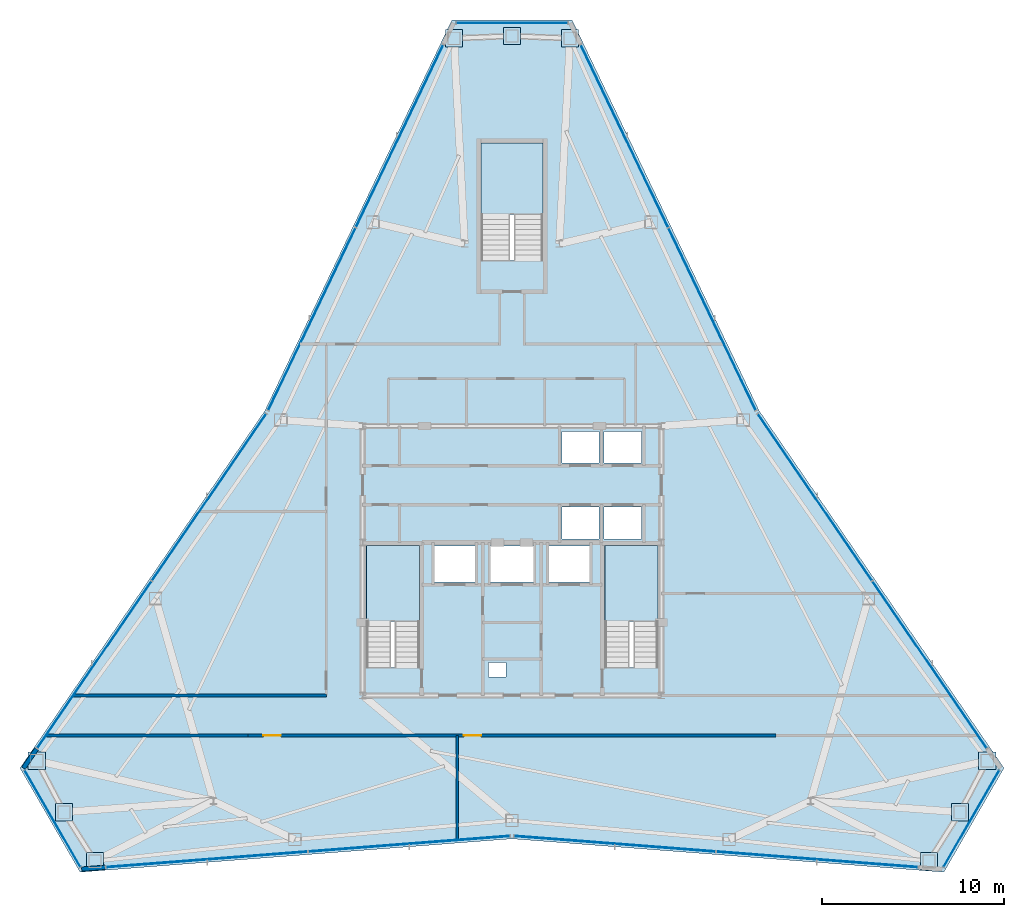
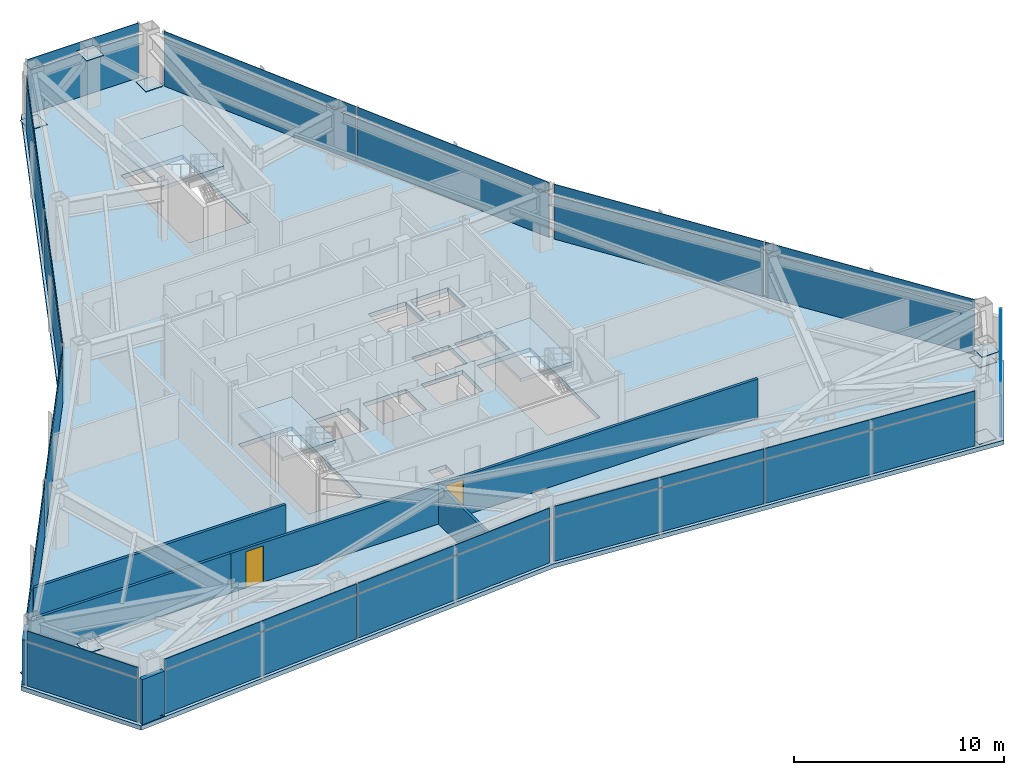
# One storey, part 8 of 12: 39 plates, 6 walls, 4 slabs, 2 doors, 2 openings, 12 elements without a shape of their own.
"""IFC4 building model written with IfcOpenShell, lengths in metres."""

from ifc_helpers import new_model, si_unit, direction, frame, frame_2d, origin, origin_2d, place, context, subcontext, project, spatial, polyline, rectangle, outline, extrude, source, transform, mapped, material, layer, layer_set, type_object, type_shapes, element, fill, aggregate, save


model = new_model("IFC4")

# Units and contexts
model_context = context("Model", 3, precision=1e-05, world=origin(), true_north=direction((0.0, 1.0)))
body_context = subcontext(model_context, "Body", "Model", "MODEL_VIEW")
ifc_project = project(units=[si_unit("LENGTHUNIT", "METRE"), si_unit("AREAUNIT", "SQUARE_METRE"), si_unit("VOLUMEUNIT", "CUBIC_METRE"), si_unit("PLANEANGLEUNIT", "RADIAN"), si_unit("MASSUNIT", "GRAM", prefix="KILO")], contexts=[model_context])

# Site, building, storey
site_placement = place(None, origin())
site = spatial("IfcSite", under=ifc_project, at=site_placement, CompositionType="ELEMENT")
building_placement = place(site_placement, origin())
building = spatial("IfcBuilding", under=site, at=building_placement, Name="Varakhsha Concourse Tower", CompositionType="ELEMENT")
storey_placement = place(building_placement, frame((0.0, 0.0, 218.89990234375)))
storey = spatial("IfcBuildingStorey", under=building, at=storey_placement, Name="L62", CompositionType="ELEMENT", Elevation=218.89990234375)

# Slab
ifc_material_1 = material(Name="Concrete fc 45 MPa", Category="concrete")
ifc_layer_1 = layer(ifc_material_1, 0.25, Name="SL-FLR-250")
ifc_layer_set_1 = layer_set([ifc_layer_1], Name="Concrete fc 45 MPa")
slab_type_1 = type_object("IfcSlabType", Name="SL-FLR-250", PredefinedType="FLOOR", material=ifc_layer_set_1)
slab_1_placement = place(storey_placement, frame((0.0, 0.0, -0.25)))
element("IfcSlab", 1, at=slab_1_placement, inside=storey, type_object=slab_type_1, Name="L62 Composite Structural Slab", PredefinedType="FLOOR", context=body_context, shape_type="SweptSolid", body=[
    extrude(outline(polyline([(43.300048828125, 53.49755859375), (36.699951171875, 53.49755859375), (26.4248046875, 32.03759765625), (12.9775390625, 12.4091796875), (16.277587890625, 6.693359375), (40.0, 8.5244140625), (63.722412109375, 6.693359375), (67.0224609375, 12.4091796875), (53.5751953125, 32.03759765625), (43.300048828125, 53.49755859375)]), holes=[polyline([(34.919921875, 17.93994140625), (34.919921875, 24.6298828125), (32.0, 24.6298828125), (32.0, 17.93994140625), (34.919921875, 17.93994140625)]), polyline([(48.02001953125, 17.93994140625), (48.02001953125, 24.6298828125), (45.10009765625, 24.6298828125), (45.10009765625, 17.93994140625), (48.02001953125, 17.93994140625)]), polyline([(41.699951171875, 40.300048828125), (41.699951171875, 46.75), (38.300048828125, 46.75), (38.300048828125, 40.300048828125), (41.699951171875, 40.300048828125)]), polyline([(42.739990234375, 29.159912109375), (44.780029296875, 29.159912109375), (44.780029296875, 30.89990234375), (42.739990234375, 30.89990234375), (42.739990234375, 29.159912109375)]), polyline([(45.06005859375, 29.159912109375), (47.10009765625, 29.159912109375), (47.10009765625, 30.89990234375), (45.06005859375, 30.89990234375), (45.06005859375, 29.159912109375)]), polyline([(42.739990234375, 25.0), (44.780029296875, 25.0), (44.780029296875, 26.739990234375), (42.739990234375, 26.739990234375), (42.739990234375, 25.0)]), polyline([(45.06005859375, 25.0), (47.10009765625, 25.0), (47.10009765625, 26.739990234375), (45.06005859375, 26.739990234375), (45.06005859375, 25.0)]), polyline([(35.7099609375, 22.639892578125), (37.989990234375, 22.639892578125), (37.989990234375, 24.60009765625), (35.7099609375, 24.60009765625), (35.7099609375, 22.639892578125)]), polyline([(42.010009765625, 22.639892578125), (44.2900390625, 22.639892578125), (44.2900390625, 24.60009765625), (42.010009765625, 24.60009765625), (42.010009765625, 22.639892578125)]), polyline([(38.81005859375, 22.639892578125), (41.18994140625, 22.639892578125), (41.18994140625, 24.60009765625), (38.81005859375, 24.60009765625), (38.81005859375, 22.639892578125)]), polyline([(38.719970703125, 17.39990234375), (39.679931640625, 17.39990234375), (39.679931640625, 18.199951171875), (38.719970703125, 18.199951171875), (38.719970703125, 17.39990234375)])]), origin(), (0.0, 0.0, 1.0), 0.25),
])

# Stair, slab
stair_type_1 = type_object("IfcStairType", Name="ST-DOGLEG-1360", PredefinedType="HALF_TURN_STAIR", material=ifc_material_1)
stair_1_placement = place(storey_placement, origin())
stair_1 = element("IfcStair", 2, at=stair_1_placement, inside=storey, type_object=stair_type_1, Name="L62 Protected Exit Stair ST1", PredefinedType="HALF_TURN_STAIR")
ifc_layer_2 = layer(ifc_material_1, 0.199951171875, Name="SL-LAND-200")
ifc_layer_set_2 = layer_set([ifc_layer_2], Name="Concrete fc 45 MPa")
slab_type_2 = type_object("IfcSlabType", Name="SL-LAND-200", PredefinedType="LANDING", material=ifc_layer_set_2)
slab_2_placement = place(storey_placement, frame((0.0, 0.0, 1.550048828125)))
slab_2 = element("IfcSlab", 3, at=slab_2_placement, type_object=slab_type_2, Name="ST1 landing 1", PredefinedType="LANDING", context=body_context, shape_type="SweptSolid", body=[
    extrude(outline(polyline([(34.919921875, 20.4599609375), (34.919921875, 24.6298828125), (32.0, 24.6298828125), (32.0, 20.4599609375), (34.919921875, 20.4599609375)])), origin(), (0.0, 0.0, 1.0), 0.199951171875),
])
aggregate(stair_1, [slab_2])

stair_2_placement = place(storey_placement, origin())
stair_2 = element("IfcStair", 4, at=stair_2_placement, inside=storey, type_object=stair_type_1, Name="L62 Protected Exit Stair ST2", PredefinedType="HALF_TURN_STAIR")
slab_3_placement = place(storey_placement, frame((0.0, 0.0, 1.550048828125)))
slab_3 = element("IfcSlab", 5, at=slab_3_placement, type_object=slab_type_2, Name="ST2 landing 1", PredefinedType="LANDING", context=body_context, shape_type="SweptSolid", body=[
    extrude(outline(polyline([(48.02001953125, 20.4599609375), (48.02001953125, 24.6298828125), (45.10009765625, 24.6298828125), (45.10009765625, 20.4599609375), (48.02001953125, 20.4599609375)])), origin(), (0.0, 0.0, 1.0), 0.199951171875),
])
aggregate(stair_2, [slab_3])

stair_type_2 = type_object("IfcStairType", Name="ST-DOGLEG-1600", PredefinedType="HALF_TURN_STAIR", material=ifc_material_1)
stair_3_placement = place(storey_placement, origin())
stair_3 = element("IfcStair", 6, at=stair_3_placement, inside=storey, type_object=stair_type_2, Name="L62 Protected Exit Stair ST5", PredefinedType="HALF_TURN_STAIR")
slab_4_placement = place(storey_placement, frame((0.0, 0.0, 1.550048828125)))
slab_4 = element("IfcSlab", 7, at=slab_4_placement, type_object=slab_type_2, Name="ST5 landing 1", PredefinedType="LANDING", context=body_context, shape_type="SweptSolid", body=[
    extrude(outline(polyline([(41.699951171875, 42.820068359375), (41.699951171875, 46.75), (38.300048828125, 46.75), (38.300048828125, 42.820068359375), (41.699951171875, 42.820068359375)])), origin(), (0.0, 0.0, 1.0), 0.199951171875),
])
aggregate(stair_3, [slab_4])

# Plates
ifc_material_2 = material(Name="Structural Steel ASTM A572 Grade 50", Category="steel")
ifc_layer_3 = layer(ifc_material_2, 0.030029296875, Name="PL-ENDCAP-950")
ifc_layer_set_3 = layer_set([ifc_layer_3], Name="Structural Steel ASTM A572 Grade 50")
plate_type_1 = type_object("IfcPlateType", Name="PL-ENDCAP-950", PredefinedType="USERDEFINED", material=ifc_layer_set_3)
shared_shape_1 = source(origin(), body_context, "Body", "SweptSolid", [
    extrude(rectangle(XDim=0.949951171875, YDim=0.949951171875, at=origin_2d()), origin(), (0.0, 0.0, 1.0), 0.030029296875),
])
type_shapes(plate_type_1, [shared_shape_1])
for number, where, z_axis, x_axis, name in (
    (8, (43.186767578125, 52.491943359375, 0.10498046875), (0.0, 0.0, 1.0), (1.0, 0.0, 0.0), "Hollow Section End Cap GP-NODE-L62-0634"),
    (9, (40.0, 52.617431640625, 2.93505859375), (0.0, 0.0, 1.0), (1.0, 0.0, 0.0), "Hollow Section End Cap GP-NODE-L62-0635"),
    (10, (36.813232421875, 52.491943359375, 0.10498046875), (0.0, 0.0, 1.0), (1.0, 0.0, 0.0), "Hollow Section End Cap GP-NODE-L62-0636"),
    (11, (13.905029296875, 12.813720703125, 0.10498046875), (0.0, 0.0, 1.0), (1.0, 0.0, 0.0), "Hollow Section End Cap GP-NODE-L62-0637"),
    (12, (15.3896484375, 9.9912109375, 2.93505859375), (0.0, 0.0, 1.0), (1.0, 0.0, 0.0), "Hollow Section End Cap GP-NODE-L62-0638"),
    (13, (17.091796875, 7.294189453125, 0.10498046875), (0.0, 0.0, 1.0), (1.0, 0.0, 0.0), "Hollow Section End Cap GP-NODE-L62-0639"),
    (14, (62.908203125, 7.294189453125, 0.10498046875), (0.0, 0.0, 1.0), (1.0, 0.0, 0.0), "Hollow Section End Cap GP-NODE-L62-0640"),
    (15, (64.6103515625, 9.9912109375, 2.93505859375), (0.0, 0.0, 1.0), (1.0, 0.0, 0.0), "Hollow Section End Cap GP-NODE-L62-0641"),
    (16, (66.094970703125, 12.813720703125, 0.10498046875), (0.0, 0.0, 1.0), (1.0, 0.0, 0.0), "Hollow Section End Cap GP-NODE-L62-0642"),
):
    element("IfcPlate", number, at=place(storey_placement, frame(where, z_axis=z_axis, x_axis=x_axis)), inside=storey, type_object=plate_type_1, Name=name, ObjectType="END PLATE", PredefinedType="USERDEFINED", context=body_context, shape_type="MappedRepresentation", body=[
        mapped(shared_shape_1, transform((0.0, 0.0, 0.0), scale=1.0)),
    ])

# Curtain wall, plates
ifc_material_3 = material(Name="Anodised Bronze Architectural Aluminium AA 6063-T6", Category="aluminium")
ifc_layer_4 = layer(ifc_material_3, 0.199951171875, Name="CW-SYS-05")
ifc_layer_set_4 = layer_set([ifc_layer_4], Name="Anodised Bronze Architectural Aluminium AA 6063-T6")
curtain_wall_type = type_object("IfcCurtainWallType", Name="CW-SYS-05", PredefinedType="NOTDEFINED", material=ifc_layer_set_4)
curtain_wall_1_placement = place(storey_placement, origin())
curtain_wall_1 = element("IfcCurtainWall", 17, at=curtain_wall_1_placement, inside=storey, type_object=curtain_wall_type, Name="L62 Crystal Curtain Wall F2", PredefinedType="NOTDEFINED")
ifc_material_4 = material(Name="Low-E Triple Insulating Glass IGU 44 mm", Category="glass")
ifc_layer_5 = layer(ifc_material_4, 0.0439453125, Name="CWP-IGU-44")
ifc_layer_set_5 = layer_set([ifc_layer_5], Name="Low-E Triple Insulating Glass IGU 44 mm")
plate_type_2 = type_object("IfcPlateType", Name="CWP-IGU-44", PredefinedType="CURTAIN_PANEL", material=ifc_layer_set_5)
shared_shape_2 = source(origin(), body_context, "Body", "SweptSolid", [
    extrude(rectangle(XDim=11.077392578125, YDim=0.0439453125, at=origin_2d()), origin(), (0.0, 0.0, 1.0), 2.535888671875),
])
type_shapes(plate_type_2, [shared_shape_2])
plate_1_placement = place(storey_placement, frame((29.010498046875, 37.0673828125, 0.0322265625), z_axis=(0.0, 0.0, 1.0), x_axis=(0.431862228288, 0.901939585437, 0.0)))
plate_1 = element("IfcPlate", 18, at=plate_1_placement, type_object=plate_type_2, Name="CW-L62-F2 Panel 00-00", PredefinedType="CURTAIN_PANEL", context=body_context, shape_type="MappedRepresentation", body=[
    mapped(shared_shape_2, transform((0.0, 0.0, 0.0), scale=1.0)),
])
plate_2_placement = place(storey_placement, frame((33.82421875, 47.12109375, 0.0322265625), z_axis=(0.0, 0.0, 1.0), x_axis=(0.431862228288, 0.901939585437, 0.0)))
plate_2 = element("IfcPlate", 19, at=plate_2_placement, type_object=plate_type_2, Name="CW-L62-F2 Panel 01-00", PredefinedType="CURTAIN_PANEL", context=body_context, shape_type="MappedRepresentation", body=[
    mapped(shared_shape_2, transform((0.0, 0.0, 0.0), scale=1.0)),
])

curtain_wall_2_placement = place(storey_placement, origin())
curtain_wall_2 = element("IfcCurtainWall", 20, at=curtain_wall_2_placement, inside=storey, type_object=curtain_wall_type, Name="L62 Crystal Curtain Wall F3", PredefinedType="NOTDEFINED")
plate_3_placement = place(storey_placement, frame((17.06201171875, 18.087890625, 0.0322265625), z_axis=(0.0, 0.0, 1.0), x_axis=(0.565172919372, 0.82497246694, 0.0)))
plate_3 = element("IfcPlate", 21, at=plate_3_placement, type_object=plate_type_2, Name="CW-L62-F3 Panel 00-00", PredefinedType="CURTAIN_PANEL", context=body_context, shape_type="MappedRepresentation", body=[
    mapped(shared_shape_2, transform((0.0, 0.0, 0.0), scale=1.0)),
])
plate_4_placement = place(storey_placement, frame((23.36181640625, 27.283447265625, 0.0322265625), z_axis=(0.0, 0.0, 1.0), x_axis=(0.565172919372, 0.82497246694, 0.0)))
plate_4 = element("IfcPlate", 22, at=plate_4_placement, type_object=plate_type_2, Name="CW-L62-F3 Panel 01-00", PredefinedType="CURTAIN_PANEL", context=body_context, shape_type="MappedRepresentation", body=[
    mapped(shared_shape_2, transform((0.0, 0.0, 0.0), scale=1.0)),
])

curtain_wall_3_placement = place(storey_placement, origin())
curtain_wall_3 = element("IfcCurtainWall", 23, at=curtain_wall_3_placement, inside=storey, type_object=curtain_wall_type, Name="L62 Crystal Curtain Wall F5", PredefinedType="NOTDEFINED")
plate_5_placement = place(storey_placement, frame((34.351318359375, 8.2490234375, 0.0322265625), z_axis=(0.0, 0.0, 1.0), x_axis=(-0.997034110791, -0.076960911628, 0.0)))
plate_5 = element("IfcPlate", 24, at=plate_5_placement, type_object=plate_type_2, Name="CW-L62-F5 Panel 00-00", PredefinedType="CURTAIN_PANEL", context=body_context, shape_type="MappedRepresentation", body=[
    mapped(shared_shape_2, transform((0.0, 0.0, 0.0), scale=1.0)),
])
plate_6_placement = place(storey_placement, frame((23.23779296875, 7.39111328125, 0.0322265625), z_axis=(0.0, 0.0, 1.0), x_axis=(-0.997034110791, -0.076960911628, 0.0)))
plate_6 = element("IfcPlate", 25, at=plate_6_placement, type_object=plate_type_2, Name="CW-L62-F5 Panel 01-00", PredefinedType="CURTAIN_PANEL", context=body_context, shape_type="MappedRepresentation", body=[
    mapped(shared_shape_2, transform((0.0, 0.0, 0.0), scale=1.0)),
])

curtain_wall_4_placement = place(storey_placement, origin())
curtain_wall_4 = element("IfcCurtainWall", 26, at=curtain_wall_4_placement, inside=storey, type_object=curtain_wall_type, Name="L62 Crystal Curtain Wall F6", PredefinedType="NOTDEFINED")
plate_7_placement = place(storey_placement, frame((56.76220703125, 7.39111328125, 0.0322265625), z_axis=(0.0, 0.0, 1.0), x_axis=(-0.997034110791, 0.076960911628, 0.0)))
plate_7 = element("IfcPlate", 27, at=plate_7_placement, type_object=plate_type_2, Name="CW-L62-F6 Panel 00-00", PredefinedType="CURTAIN_PANEL", context=body_context, shape_type="MappedRepresentation", body=[
    mapped(shared_shape_2, transform((0.0, 0.0, 0.0), scale=1.0)),
])
plate_8_placement = place(storey_placement, frame((45.648681640625, 8.2490234375, 0.0322265625), z_axis=(0.0, 0.0, 1.0), x_axis=(-0.997034110791, 0.076960911628, 0.0)))
plate_8 = element("IfcPlate", 28, at=plate_8_placement, type_object=plate_type_2, Name="CW-L62-F6 Panel 01-00", PredefinedType="CURTAIN_PANEL", context=body_context, shape_type="MappedRepresentation", body=[
    mapped(shared_shape_2, transform((0.0, 0.0, 0.0), scale=1.0)),
])

curtain_wall_5_placement = place(storey_placement, origin())
curtain_wall_5 = element("IfcCurtainWall", 29, at=curtain_wall_5_placement, inside=storey, type_object=curtain_wall_type, Name="L62 Crystal Curtain Wall F8", PredefinedType="NOTDEFINED")
plate_9_placement = place(storey_placement, frame((56.638427734375, 27.283447265625, 0.0322265625), z_axis=(0.0, 0.0, 1.0), x_axis=(0.565172919372, -0.82497246694, 0.0)))
plate_9 = element("IfcPlate", 30, at=plate_9_placement, type_object=plate_type_2, Name="CW-L62-F8 Panel 00-00", PredefinedType="CURTAIN_PANEL", context=body_context, shape_type="MappedRepresentation", body=[
    mapped(shared_shape_2, transform((0.0, 0.0, 0.0), scale=1.0)),
])
plate_10_placement = place(storey_placement, frame((62.93798828125, 18.087890625, 0.0322265625), z_axis=(0.0, 0.0, 1.0), x_axis=(0.565172919372, -0.82497246694, 0.0)))
plate_10 = element("IfcPlate", 31, at=plate_10_placement, type_object=plate_type_2, Name="CW-L62-F8 Panel 01-00", PredefinedType="CURTAIN_PANEL", context=body_context, shape_type="MappedRepresentation", body=[
    mapped(shared_shape_2, transform((0.0, 0.0, 0.0), scale=1.0)),
])

curtain_wall_6_placement = place(storey_placement, origin())
curtain_wall_6 = element("IfcCurtainWall", 32, at=curtain_wall_6_placement, inside=storey, type_object=curtain_wall_type, Name="L62 Crystal Curtain Wall F9", PredefinedType="NOTDEFINED")
plate_11_placement = place(storey_placement, frame((46.17578125, 47.12109375, 0.0322265625), z_axis=(0.0, 0.0, 1.0), x_axis=(0.431862228288, -0.901939585437, 0.0)))
plate_11 = element("IfcPlate", 33, at=plate_11_placement, type_object=plate_type_2, Name="CW-L62-F9 Panel 00-00", PredefinedType="CURTAIN_PANEL", context=body_context, shape_type="MappedRepresentation", body=[
    mapped(shared_shape_2, transform((0.0, 0.0, 0.0), scale=1.0)),
])
plate_12_placement = place(storey_placement, frame((50.989501953125, 37.0673828125, 0.0322265625), z_axis=(0.0, 0.0, 1.0), x_axis=(0.431862228288, -0.901939585437, 0.0)))
plate_12 = element("IfcPlate", 34, at=plate_12_placement, type_object=plate_type_2, Name="CW-L62-F9 Panel 01-00", PredefinedType="CURTAIN_PANEL", context=body_context, shape_type="MappedRepresentation", body=[
    mapped(shared_shape_2, transform((0.0, 0.0, 0.0), scale=1.0)),
])

# Plate
ifc_material_5 = material(Name="Insulated Anodised Bronze Aluminium Spandrel 36 mm", Category="aluminium")
ifc_layer_6 = layer(ifc_material_5, 0.035888671875, Name="CWP-SPN-36")
ifc_layer_set_6 = layer_set([ifc_layer_6], Name="Insulated Anodised Bronze Aluminium Spandrel 36 mm")
plate_type_3 = type_object("IfcPlateType", Name="CWP-SPN-36", PredefinedType="USERDEFINED", material=ifc_layer_set_6)
shared_shape_3 = source(origin(), body_context, "Body", "SweptSolid", [
    extrude(rectangle(XDim=11.077392578125, YDim=0.035888671875, at=origin_2d()), origin(), (0.0, 0.0, 1.0), 0.5859375),
])
plate_13_placement = place(storey_placement, frame((29.010498046875, 37.0673828125, 2.632080078125), z_axis=(0.0, 0.0, 1.0), x_axis=(0.431862228288, 0.901939585437, 0.0)))
plate_13 = element("IfcPlate", 35, at=plate_13_placement, type_object=plate_type_3, Name="CW-L62-F2 Panel 00-01", ObjectType="SPANDREL", PredefinedType="USERDEFINED", context=body_context, shape_type="MappedRepresentation", body=[
    mapped(shared_shape_3, transform((0.0, 0.0, 0.0), scale=1.0)),
])

plate_14_placement = place(storey_placement, frame((33.82421875, 47.12109375, 2.632080078125), z_axis=(0.0, 0.0, 1.0), x_axis=(0.431862228288, 0.901939585437, 0.0)))
plate_14 = element("IfcPlate", 36, at=plate_14_placement, type_object=plate_type_3, Name="CW-L62-F2 Panel 01-01", ObjectType="SPANDREL", PredefinedType="USERDEFINED", context=body_context, shape_type="MappedRepresentation", body=[
    mapped(shared_shape_3, transform((0.0, 0.0, 0.0), scale=1.0)),
])

aggregate(curtain_wall_1, [plate_1, plate_13, plate_2, plate_14])

plate_15_placement = place(storey_placement, frame((17.06201171875, 18.087890625, 2.632080078125), z_axis=(0.0, 0.0, 1.0), x_axis=(0.565172919372, 0.82497246694, 0.0)))
plate_15 = element("IfcPlate", 37, at=plate_15_placement, type_object=plate_type_3, Name="CW-L62-F3 Panel 00-01", ObjectType="SPANDREL", PredefinedType="USERDEFINED", context=body_context, shape_type="MappedRepresentation", body=[
    mapped(shared_shape_3, transform((0.0, 0.0, 0.0), scale=1.0)),
])

plate_16_placement = place(storey_placement, frame((23.36181640625, 27.283447265625, 2.632080078125), z_axis=(0.0, 0.0, 1.0), x_axis=(0.565172919372, 0.82497246694, 0.0)))
plate_16 = element("IfcPlate", 38, at=plate_16_placement, type_object=plate_type_3, Name="CW-L62-F3 Panel 01-01", ObjectType="SPANDREL", PredefinedType="USERDEFINED", context=body_context, shape_type="MappedRepresentation", body=[
    mapped(shared_shape_3, transform((0.0, 0.0, 0.0), scale=1.0)),
])

aggregate(curtain_wall_2, [plate_3, plate_15, plate_4, plate_16])

plate_17_placement = place(storey_placement, frame((34.351318359375, 8.2490234375, 2.632080078125), z_axis=(0.0, 0.0, 1.0), x_axis=(-0.997034110791, -0.076960911628, 0.0)))
plate_17 = element("IfcPlate", 39, at=plate_17_placement, type_object=plate_type_3, Name="CW-L62-F5 Panel 00-01", ObjectType="SPANDREL", PredefinedType="USERDEFINED", context=body_context, shape_type="MappedRepresentation", body=[
    mapped(shared_shape_3, transform((0.0, 0.0, 0.0), scale=1.0)),
])

plate_18_placement = place(storey_placement, frame((23.23779296875, 7.39111328125, 2.632080078125), z_axis=(0.0, 0.0, 1.0), x_axis=(-0.997034110791, -0.076960911628, 0.0)))
plate_18 = element("IfcPlate", 40, at=plate_18_placement, type_object=plate_type_3, Name="CW-L62-F5 Panel 01-01", ObjectType="SPANDREL", PredefinedType="USERDEFINED", context=body_context, shape_type="MappedRepresentation", body=[
    mapped(shared_shape_3, transform((0.0, 0.0, 0.0), scale=1.0)),
])

aggregate(curtain_wall_3, [plate_5, plate_17, plate_6, plate_18])

plate_19_placement = place(storey_placement, frame((56.76220703125, 7.39111328125, 2.632080078125), z_axis=(0.0, 0.0, 1.0), x_axis=(-0.997034110791, 0.076960911628, 0.0)))
plate_19 = element("IfcPlate", 41, at=plate_19_placement, type_object=plate_type_3, Name="CW-L62-F6 Panel 00-01", ObjectType="SPANDREL", PredefinedType="USERDEFINED", context=body_context, shape_type="MappedRepresentation", body=[
    mapped(shared_shape_3, transform((0.0, 0.0, 0.0), scale=1.0)),
])

plate_20_placement = place(storey_placement, frame((45.648681640625, 8.2490234375, 2.632080078125), z_axis=(0.0, 0.0, 1.0), x_axis=(-0.997034110791, 0.076960911628, 0.0)))
plate_20 = element("IfcPlate", 42, at=plate_20_placement, type_object=plate_type_3, Name="CW-L62-F6 Panel 01-01", ObjectType="SPANDREL", PredefinedType="USERDEFINED", context=body_context, shape_type="MappedRepresentation", body=[
    mapped(shared_shape_3, transform((0.0, 0.0, 0.0), scale=1.0)),
])

aggregate(curtain_wall_4, [plate_7, plate_19, plate_8, plate_20])

plate_21_placement = place(storey_placement, frame((56.638427734375, 27.283447265625, 2.632080078125), z_axis=(0.0, 0.0, 1.0), x_axis=(0.565172919372, -0.82497246694, 0.0)))
plate_21 = element("IfcPlate", 43, at=plate_21_placement, type_object=plate_type_3, Name="CW-L62-F8 Panel 00-01", ObjectType="SPANDREL", PredefinedType="USERDEFINED", context=body_context, shape_type="MappedRepresentation", body=[
    mapped(shared_shape_3, transform((0.0, 0.0, 0.0), scale=1.0)),
])

plate_22_placement = place(storey_placement, frame((62.93798828125, 18.087890625, 2.632080078125), z_axis=(0.0, 0.0, 1.0), x_axis=(0.565172919372, -0.82497246694, 0.0)))
plate_22 = element("IfcPlate", 44, at=plate_22_placement, type_object=plate_type_3, Name="CW-L62-F8 Panel 01-01", ObjectType="SPANDREL", PredefinedType="USERDEFINED", context=body_context, shape_type="MappedRepresentation", body=[
    mapped(shared_shape_3, transform((0.0, 0.0, 0.0), scale=1.0)),
])

aggregate(curtain_wall_5, [plate_9, plate_21, plate_10, plate_22])

plate_23_placement = place(storey_placement, frame((46.17578125, 47.12109375, 2.632080078125), z_axis=(0.0, 0.0, 1.0), x_axis=(0.431862228288, -0.901939585437, 0.0)))
plate_23 = element("IfcPlate", 45, at=plate_23_placement, type_object=plate_type_3, Name="CW-L62-F9 Panel 00-01", ObjectType="SPANDREL", PredefinedType="USERDEFINED", context=body_context, shape_type="MappedRepresentation", body=[
    mapped(shared_shape_3, transform((0.0, 0.0, 0.0), scale=1.0)),
])

plate_24_placement = place(storey_placement, frame((50.989501953125, 37.0673828125, 2.632080078125), z_axis=(0.0, 0.0, 1.0), x_axis=(0.431862228288, -0.901939585437, 0.0)))
plate_24 = element("IfcPlate", 46, at=plate_24_placement, type_object=plate_type_3, Name="CW-L62-F9 Panel 01-01", ObjectType="SPANDREL", PredefinedType="USERDEFINED", context=body_context, shape_type="MappedRepresentation", body=[
    mapped(shared_shape_3, transform((0.0, 0.0, 0.0), scale=1.0)),
])

aggregate(curtain_wall_6, [plate_11, plate_23, plate_12, plate_24])

# Curtain wall, plate
curtain_wall_7_placement = place(storey_placement, origin())
curtain_wall_7 = element("IfcCurtainWall", 47, at=curtain_wall_7_placement, inside=storey, type_object=curtain_wall_type, Name="L62 Chamfer Curtain Wall F1", PredefinedType="NOTDEFINED")
shared_shape_4 = source(origin(), body_context, "Body", "SweptSolid", [
    extrude(rectangle(XDim=6.091064453125, YDim=0.035888671875, at=origin_2d()), origin(), (0.0, 0.0, 1.0), 2.535888671875),
])
plate_25_placement = place(storey_placement, frame((40.0, 53.33740234375, 0.0322265625), z_axis=(0.0, 0.0, 1.0), x_axis=(1.0, 0.0, 0.0)))
plate_25 = element("IfcPlate", 48, at=plate_25_placement, type_object=plate_type_3, Name="CW-L62-F1 Panel 00-00", ObjectType="SPANDREL", PredefinedType="USERDEFINED", context=body_context, shape_type="MappedRepresentation", body=[
    mapped(shared_shape_4, transform((0.0, 0.0, 0.0), scale=1.0)),
])

curtain_wall_8_placement = place(storey_placement, origin())
curtain_wall_8 = element("IfcCurtainWall", 49, at=curtain_wall_8_placement, inside=storey, type_object=curtain_wall_type, Name="L62 Chamfer Curtain Wall F4", PredefinedType="NOTDEFINED")
plate_26_placement = place(storey_placement, frame((14.76611328125, 9.631103515625, 0.0322265625), z_axis=(0.0, 0.0, 1.0), x_axis=(-0.49999395399, 0.866028894422, 0.0)))
plate_26 = element("IfcPlate", 50, at=plate_26_placement, type_object=plate_type_3, Name="CW-L62-F4 Panel 00-00", ObjectType="SPANDREL", PredefinedType="USERDEFINED", context=body_context, shape_type="MappedRepresentation", body=[
    mapped(shared_shape_4, transform((0.0, 0.0, 0.0), scale=1.0)),
])

curtain_wall_9_placement = place(storey_placement, origin())
curtain_wall_9 = element("IfcCurtainWall", 51, at=curtain_wall_9_placement, inside=storey, type_object=curtain_wall_type, Name="L62 Chamfer Curtain Wall F7", PredefinedType="NOTDEFINED")
plate_27_placement = place(storey_placement, frame((65.23388671875, 9.631103515625, 0.0322265625), z_axis=(0.0, 0.0, 1.0), x_axis=(-0.49999395399, -0.866028894422, 0.0)))
plate_27 = element("IfcPlate", 52, at=plate_27_placement, type_object=plate_type_3, Name="CW-L62-F7 Panel 00-00", ObjectType="SPANDREL", PredefinedType="USERDEFINED", context=body_context, shape_type="MappedRepresentation", body=[
    mapped(shared_shape_4, transform((0.0, 0.0, 0.0), scale=1.0)),
])

# Plate
shared_shape_5 = source(origin(), body_context, "Body", "SweptSolid", [
    extrude(rectangle(XDim=6.091064453125, YDim=0.035888671875, at=origin_2d()), origin(), (0.0, 0.0, 1.0), 0.5859375),
])
type_shapes(plate_type_3, [shared_shape_3, shared_shape_4, shared_shape_5])
plate_28_placement = place(storey_placement, frame((40.0, 53.33740234375, 2.632080078125), z_axis=(0.0, 0.0, 1.0), x_axis=(1.0, 0.0, 0.0)))
plate_28 = element("IfcPlate", 53, at=plate_28_placement, type_object=plate_type_3, Name="CW-L62-F1 Panel 00-01", ObjectType="SPANDREL", PredefinedType="USERDEFINED", context=body_context, shape_type="MappedRepresentation", body=[
    mapped(shared_shape_5, transform((0.0, 0.0, 0.0), scale=1.0)),
])

aggregate(curtain_wall_7, [plate_25, plate_28])

plate_29_placement = place(storey_placement, frame((14.76611328125, 9.631103515625, 2.632080078125), z_axis=(0.0, 0.0, 1.0), x_axis=(-0.49999395399, 0.866028894422, 0.0)))
plate_29 = element("IfcPlate", 54, at=plate_29_placement, type_object=plate_type_3, Name="CW-L62-F4 Panel 00-01", ObjectType="SPANDREL", PredefinedType="USERDEFINED", context=body_context, shape_type="MappedRepresentation", body=[
    mapped(shared_shape_5, transform((0.0, 0.0, 0.0), scale=1.0)),
])

aggregate(curtain_wall_8, [plate_26, plate_29])

plate_30_placement = place(storey_placement, frame((65.23388671875, 9.631103515625, 2.632080078125), z_axis=(0.0, 0.0, 1.0), x_axis=(-0.49999395399, -0.866028894422, 0.0)))
plate_30 = element("IfcPlate", 55, at=plate_30_placement, type_object=plate_type_3, Name="CW-L62-F7 Panel 00-01", ObjectType="SPANDREL", PredefinedType="USERDEFINED", context=body_context, shape_type="MappedRepresentation", body=[
    mapped(shared_shape_5, transform((0.0, 0.0, 0.0), scale=1.0)),
])

aggregate(curtain_wall_9, [plate_27, plate_30])

# Walls
ifc_layer_7 = layer(ifc_material_1, 0.239990234375, Name="WL-EXT-CRN-240")
ifc_layer_set_7 = layer_set([ifc_layer_7], Name="Concrete fc 45 MPa")
wall_type_1 = type_object("IfcWallType", Name="WL-EXT-CRN-240", PredefinedType="SHEAR", material=ifc_layer_set_7)
wall_1_placement = place(storey_placement, frame((13.893798828125, 13.46337890625, 0.0), z_axis=(0.0, 0.0, 1.0), x_axis=(-0.565269764291, -0.824906111978, 0.0)))
element("IfcWall", 56, at=wall_1_placement, inside=storey, type_object=wall_type_1, Name="L62 Wind-Corner Shoulder Wall F3", PredefinedType="SHEAR", context=body_context, shape_type="SweptSolid", body=[
    extrude(rectangle(XDim=1.284423828125, YDim=0.239990234375, at=frame_2d((0.64208984375, 0.0))), origin(), (0.0, 0.0, 1.0), 2.623046875),
])
wall_2_placement = place(storey_placement, frame((16.367919921875, 6.86083984375, 0.0), z_axis=(0.0, 0.0, 1.0), x_axis=(0.997033205721, 0.076972635974, 0.0)))
element("IfcWall", 57, at=wall_2_placement, inside=storey, type_object=wall_type_1, Name="L62 Wind-Corner Shoulder Wall F5", PredefinedType="SHEAR", context=body_context, shape_type="SweptSolid", body=[
    extrude(rectangle(XDim=1.28466796875, YDim=0.239990234375, at=frame_2d((0.642333984375, 0.0))), origin(), (0.0, 0.0, 1.0), 2.623046875),
])
ifc_material_6 = material(Name="Fire-Rated Type X Gypsum Partition Assembly", Category="gypsum")
ifc_layer_8 = layer(ifc_material_6, 0.14990234375, Name="WL-PART-150")
ifc_layer_set_8 = layer_set([ifc_layer_8], Name="Fire-Rated Type X Gypsum Partition Assembly")
wall_type_2 = type_object("IfcWallType", Name="WL-PART-150", PredefinedType="PARTITIONING", material=ifc_layer_set_8)
wall_3_placement = place(storey_placement, frame((14.404541015625, 14.199951171875, 0.0), z_axis=(0.0, 0.0, 1.0), x_axis=(1.0, 0.0, 0.0)))
element("IfcWall", 58, at=wall_3_placement, inside=storey, type_object=wall_type_2, Name="L62 Wall CRW-SGAL-SW-L62", PredefinedType="PARTITIONING", context=body_context, shape_type="SweptSolid", body=[
    extrude(rectangle(XDim=11.095458984375, YDim=0.14990234375, at=frame_2d((5.5478515625, 0.0))), origin(), (0.0, 0.0, 1.0), 2.2919921875),
])
wall_4_placement = place(storey_placement, frame((15.91162109375, 16.39990234375, 0.0), z_axis=(0.0, 0.0, 1.0), x_axis=(1.0, 0.0, 0.0)))
element("IfcWall", 59, at=wall_4_placement, inside=storey, type_object=wall_type_2, Name="L62 Wall CRW-SGAL-NW-L62", PredefinedType="PARTITIONING", context=body_context, shape_type="SweptSolid", body=[
    extrude(rectangle(XDim=13.888427734375, YDim=0.14990234375, at=frame_2d((6.9443359375, 0.0))), origin(), (0.0, 0.0, 1.0), 2.2919921875),
])

# Wall, openings, doors
wall_5_placement = place(storey_placement, frame((25.5, 14.199951171875, 0.0), z_axis=(0.0, 0.0, 1.0), x_axis=(1.0, 0.0, 0.0)))
wall_5 = element("IfcWall", 60, at=wall_5_placement, inside=storey, type_object=wall_type_2, Name="L62 Wall CRW-S-DOOR-L62", PredefinedType="PARTITIONING", context=body_context, shape_type="SweptSolid", body=[
    extrude(rectangle(XDim=29.0, YDim=0.14990234375, at=frame_2d((14.5, 0.0))), origin(), (0.0, 0.0, 1.0), 2.2919921875),
])
opening_1_placement = place(wall_5_placement, frame((0.85009765625, 0.0, 0.0)))
opening_1 = element("IfcOpeningElement", 61, at=opening_1_placement, cuts=wall_5, Name="Opening DF-05", PredefinedType="OPENING", context=body_context, shape_type="SweptSolid", body=[
    extrude(rectangle(XDim=0.949951171875, YDim=2.10009765625, at=frame_2d((0.47509765625, 1.050048828125))), frame((0.0, 0.0849609375, 0.0), z_axis=(0.0, -1.0, 0.0), x_axis=(1.0, 0.0, 0.0)), (0.0, 0.0, 1.0), 0.169921875),
])
opening_2_placement = place(wall_5_placement, frame((11.85009765625, 0.0, 0.0)))
opening_2 = element("IfcOpeningElement", 62, at=opening_2_placement, cuts=wall_5, Name="Opening DF-05", PredefinedType="OPENING", context=body_context, shape_type="SweptSolid", body=[
    extrude(rectangle(XDim=0.949951171875, YDim=2.10009765625, at=frame_2d((0.47509765625, 1.050048828125))), frame((0.0, 0.0849609375, 0.0), z_axis=(0.0, -1.0, 0.0), x_axis=(1.0, 0.0, 0.0)), (0.0, 0.0, 1.0), 0.169921875),
])
ifc_material_7 = material(Name="Hollow Galvanised Steel Fire Door Assembly", Category="steel")
door_type = type_object("IfcDoorType", Name="DR-FD60-950", OperationType="NOTDEFINED", PredefinedType="DOOR", material=ifc_material_7)
door_1_placement = place(opening_1_placement, origin())
door_1 = element("IfcDoor", 63, at=door_1_placement, inside=storey, type_object=door_type, Name="L62 Portfolio Risk Office L62-S1 Door", OperationType="SINGLE_SWING_LEFT", OverallHeight=2.10009765625, OverallWidth=0.949951171875, PredefinedType="DOOR", context=body_context, shape_type="SweptSolid", body=[
    extrude(rectangle(XDim=0.949951171875, YDim=2.10009765625, at=frame_2d((0.47509765625, 1.050048828125))), frame((0.0, 0.02490234375, 0.0), z_axis=(0.0, -1.0, 0.0), x_axis=(1.0, 0.0, 0.0)), (0.0, 0.0, 1.0), 0.050048828125),
])
fill(opening_1, door_1)
door_2_placement = place(opening_2_placement, origin())
door_2 = element("IfcDoor", 64, at=door_2_placement, inside=storey, type_object=door_type, Name="L62 Quantitative Analytics Studio L62-S2 Door", OperationType="SINGLE_SWING_RIGHT", OverallHeight=2.10009765625, OverallWidth=0.949951171875, PredefinedType="DOOR", context=body_context, shape_type="SweptSolid", body=[
    extrude(rectangle(XDim=0.949951171875, YDim=2.10009765625, at=frame_2d((0.47509765625, 1.050048828125))), frame((0.0, 0.02490234375, 0.0), z_axis=(0.0, -1.0, 0.0), x_axis=(1.0, 0.0, 0.0)), (0.0, 0.0, 1.0), 0.050048828125),
])
fill(opening_2, door_2)

# Wall
wall_6_placement = place(storey_placement, frame((37.0, 8.45849609375, 0.0), z_axis=(0.0, 0.0, 1.0), x_axis=(0.0, 1.0, 0.0)))
element("IfcWall", 65, at=wall_6_placement, inside=storey, type_object=wall_type_2, Name="L62 Wall ODIV-S1-L62", PredefinedType="PARTITIONING", context=body_context, shape_type="SweptSolid", body=[
    extrude(rectangle(XDim=5.741455078125, YDim=0.14990234375, at=frame_2d((2.87060546875, 0.0))), origin(), (0.0, 0.0, 1.0), 2.2919921875),
])

save(model, "model.ifc")
